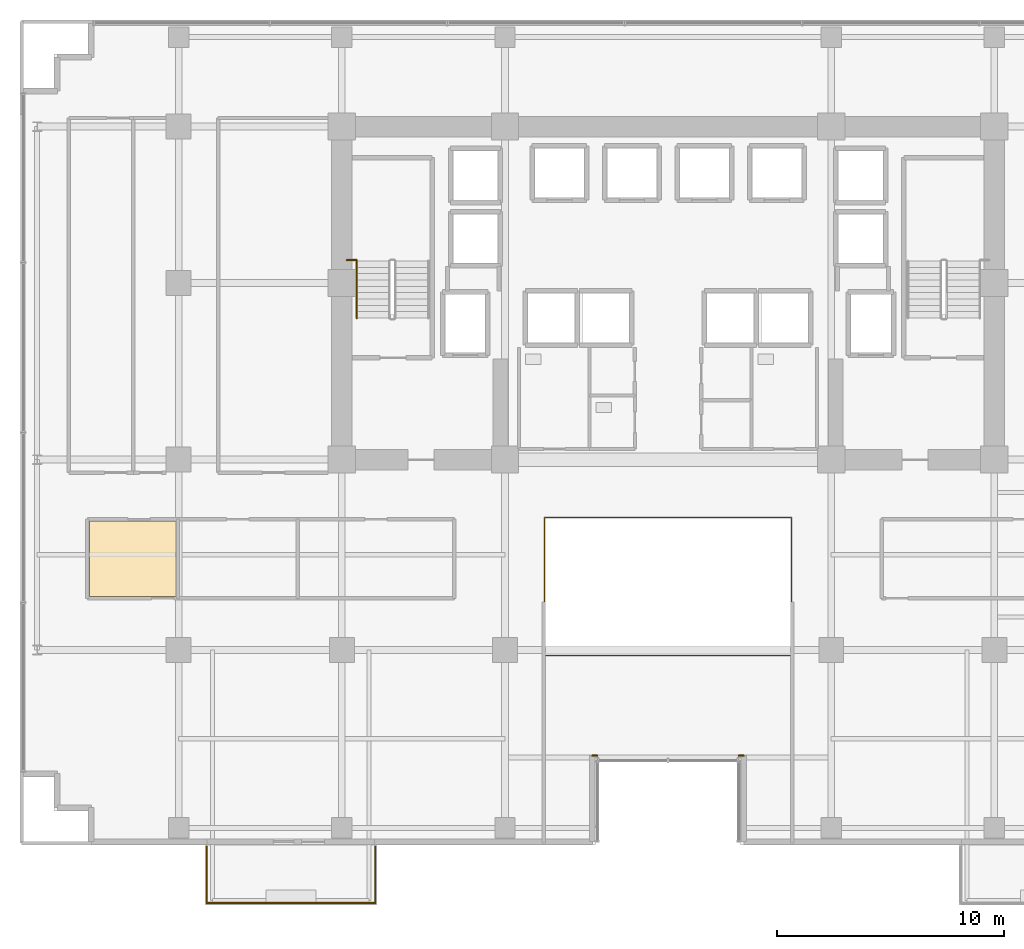
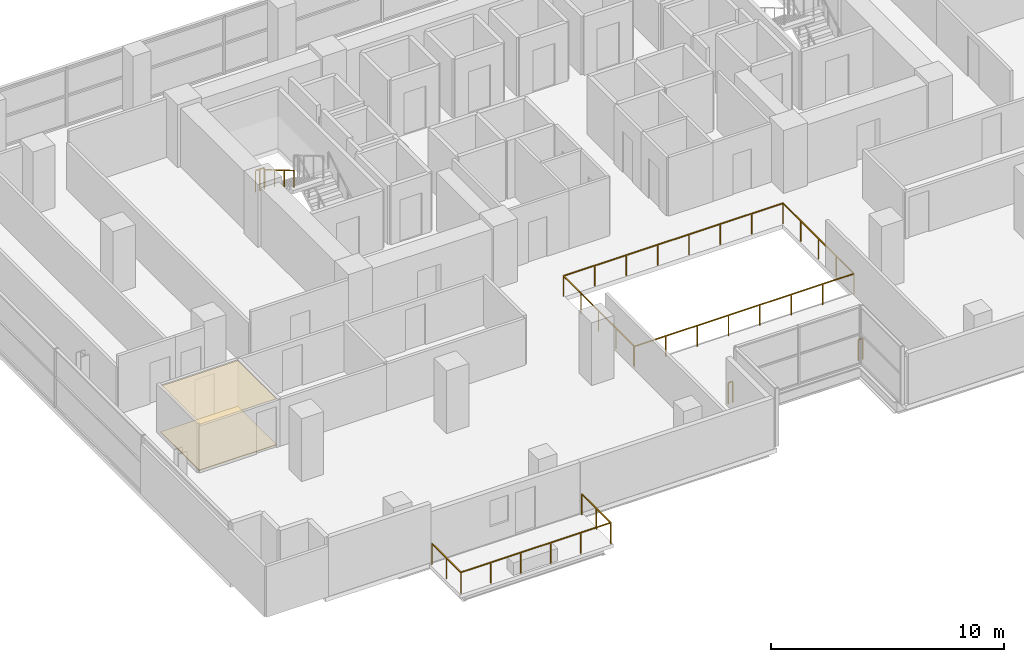
# One storey, part 23 of 26: 6 railings, 2 coverings.
"""IFC4 building model written with IfcOpenShell, lengths in metres."""

from ifc_helpers import new_model, si_unit, direction, frame, origin, origin_2d, place, context, subcontext, project, spatial, polyline, rectangle, outline, extrude, material, layer, layer_set, type_object, element, save


model = new_model("IFC4")

# Units and contexts
model_context = context("Model", 3, precision=1e-05, world=origin(), true_north=direction((0.0, 1.0)))
body_context = subcontext(model_context, "Body", "Model", "MODEL_VIEW")
ifc_project = project(units=[si_unit("LENGTHUNIT", "METRE"), si_unit("AREAUNIT", "SQUARE_METRE"), si_unit("VOLUMEUNIT", "CUBIC_METRE"), si_unit("PLANEANGLEUNIT", "RADIAN"), si_unit("MASSUNIT", "GRAM", prefix="KILO")], contexts=[model_context])

# Site, building, storey
site_placement = place(None, origin())
site = spatial("IfcSite", under=ifc_project, at=site_placement, CompositionType="ELEMENT")
building_placement = place(site_placement, origin())
building = spatial("IfcBuilding", under=site, at=building_placement, Name="Zarnakvel Exchange Tower", CompositionType="ELEMENT")
storey_placement = place(building_placement, frame((0.0, 0.0, 70.300048828125)))
storey = spatial("IfcBuildingStorey", under=building, at=storey_placement, Name="L19", CompositionType="ELEMENT", Elevation=70.300048828125)

# Coverings
ifc_material_1 = material(Name="Perforated Bronze Acoustic Metal Ceiling", Category="aluminium")
ifc_layer_1 = layer(ifc_material_1, 0.02001953125)
ifc_layer_set_1 = layer_set([ifc_layer_1], Name="Perforated Bronze Acoustic Metal Ceiling")
covering_type_1 = type_object("IfcCoveringType", Name="CLG-01", PredefinedType="CEILING", material=ifc_layer_set_1)
covering_1_placement = place(storey_placement, frame((0.0, 0.0, 2.405029296875)))
element("IfcCovering", 1, at=covering_1_placement, inside=storey, type_object=covering_type_1, Name="L19 Suspended Acoustic Ceiling (Asset Management Office)", PredefinedType="CEILING", context=body_context, shape_type="SweptSolid", body=[
    extrude(outline(polyline([(-25.54833984375, -3.909912109375), (-21.710205078125, -3.909912109375), (-21.710205078125, -7.239990234375), (-25.54833984375, -7.239990234375), (-25.54833984375, -3.909912109375)])), origin(), (0.0, 0.0, 1.0), 0.02001953125),
])
ifc_material_2 = material(Name="Heavy-Duty Raised Access Floor Panel", Category="steel")
ifc_layer_2 = layer(ifc_material_2, 0.034912109375)
ifc_layer_set_2 = layer_set([ifc_layer_2], Name="Heavy-Duty Raised Access Floor Panel")
covering_type_2 = type_object("IfcCoveringType", Name="FLR-02", PredefinedType="FLOORING", material=ifc_layer_set_2)
covering_2_placement = place(storey_placement, origin())
element("IfcCovering", 2, at=covering_2_placement, inside=storey, type_object=covering_type_2, Name="L19 Floor Finish (Asset Management Office)", PredefinedType="FLOORING", context=body_context, shape_type="SweptSolid", body=[
    extrude(outline(polyline([(-25.54833984375, -3.909912109375), (-21.710205078125, -3.909912109375), (-21.710205078125, -7.239990234375), (-25.54833984375, -7.239990234375), (-25.54833984375, -3.909912109375)])), origin(), (0.0, 0.0, 1.0), 0.034912109375),
])

# Railings
ifc_material_3 = material(Name="Architectural Bronze Anodised Aluminium", Category="aluminium")
railing_type_1 = type_object("IfcRailingType", Name="GR-02", PredefinedType="GUARDRAIL", material=ifc_material_3)
railing_1_placement = place(storey_placement, frame((-20.3701171875, -18.280029296875, -0.03515625)))
element("IfcRailing", 3, at=railing_1_placement, inside=storey, type_object=railing_type_1, Name="L19 Balcony Guardrail BAL-L19-SW", PredefinedType="GUARDRAIL", context=body_context, shape_type="SweptSolid", body=[
    extrude(rectangle(XDim=0.048095703125, YDim=0.048095703125, at=origin_2d()), frame((0.0, 0.0, 1.09619140625), z_axis=(0.0, -1.0, 0.0), x_axis=(1.0, 0.0, 0.0)), (0.0, 0.0, 1.0), 2.489990234375),
    extrude(rectangle(XDim=0.048095703125, YDim=0.048095703125, at=origin_2d()), frame((0.0, -2.489990234375, 1.09619140625), z_axis=(1.0, 0.0, 0.0), x_axis=(0.0, 1.0, 0.0)), (0.0, 0.0, 1.0), 7.440185546875),
    extrude(rectangle(XDim=0.048095703125, YDim=0.048095703125, at=origin_2d()), frame((7.440185546875, -2.489990234375, 1.09619140625), z_axis=(0.0, 1.0, 0.0), x_axis=(-1.0, 0.0, 0.0)), (0.0, 0.0, 1.0), 2.489990234375),
    extrude(rectangle(XDim=0.0419921875, YDim=0.0419921875, at=origin_2d()), origin(), (0.0, 0.0, 1.0), 1.072021484375),
    extrude(rectangle(XDim=0.0419921875, YDim=0.0419921875, at=origin_2d()), frame((0.0, -1.2451171875, 0.0)), (0.0, 0.0, 1.0), 1.072021484375),
    extrude(rectangle(XDim=0.0419921875, YDim=0.0419921875, at=origin_2d()), frame((0.0, -2.489990234375, 0.0)), (0.0, 0.0, 1.0), 1.072021484375),
    extrude(rectangle(XDim=0.0419921875, YDim=0.0419921875, at=origin_2d()), frame((1.488037109375, -2.489990234375, 0.0)), (0.0, 0.0, 1.0), 1.072021484375),
    extrude(rectangle(XDim=0.0419921875, YDim=0.0419921875, at=origin_2d()), frame((2.97607421875, -2.489990234375, 0.0)), (0.0, 0.0, 1.0), 1.072021484375),
    extrude(rectangle(XDim=0.0419921875, YDim=0.0419921875, at=origin_2d()), frame((4.464111328125, -2.489990234375, 0.0)), (0.0, 0.0, 1.0), 1.072021484375),
    extrude(rectangle(XDim=0.0419921875, YDim=0.0419921875, at=origin_2d()), frame((5.9521484375, -2.489990234375, 0.0)), (0.0, 0.0, 1.0), 1.072021484375),
    extrude(rectangle(XDim=0.0419921875, YDim=0.0419921875, at=origin_2d()), frame((7.440185546875, -2.489990234375, 0.0)), (0.0, 0.0, 1.0), 1.072021484375),
    extrude(rectangle(XDim=0.0419921875, YDim=0.0419921875, at=origin_2d()), frame((7.440185546875, -1.2451171875, 0.0)), (0.0, 0.0, 1.0), 1.072021484375),
    extrude(rectangle(XDim=0.0419921875, YDim=0.0419921875, at=origin_2d()), frame((7.440185546875, 0.0, 0.0)), (0.0, 0.0, 1.0), 1.072021484375),
])
for number, where, name in (
    (4, (3.340087890625, -14.260009765625, 0.0), "L19 Corner Spandrel Balustrade #18"),
    (5, (-3.1201171875, -14.260009765625, 0.0), "L19 Corner Spandrel Balustrade #19"),
):
    element("IfcRailing", number, at=place(storey_placement, frame(where)), inside=storey, type_object=railing_type_1, Name=name, PredefinedType="GUARDRAIL", context=body_context, shape_type="SweptSolid", body=[
        extrude(rectangle(XDim=0.048095703125, YDim=0.048095703125, at=origin_2d()), frame((0.0, 0.0, 1.09619140625), z_axis=(-1.0, 0.0, 0.0), x_axis=(0.0, -1.0, 0.0)), (0.0, 0.0, 1.0), 0.219970703125),
        extrude(rectangle(XDim=0.0419921875, YDim=0.0419921875, at=origin_2d()), origin(), (0.0, 0.0, 1.0), 1.072021484375),
        extrude(rectangle(XDim=0.0419921875, YDim=0.0419921875, at=origin_2d()), frame((-0.219970703125, 0.0, 0.0)), (0.0, 0.0, 1.0), 1.072021484375),
    ])
railing_type_2 = type_object("IfcRailingType", Name="GR-03", PredefinedType="GUARDRAIL", material=ifc_material_3)
railing_2_placement = place(storey_placement, frame((-5.449951171875, -9.85009765625, 0.0)))
element("IfcRailing", 6, at=railing_2_placement, inside=storey, type_object=railing_type_2, Name="L19 Atrium Void Perimeter Balustrade", PredefinedType="GUARDRAIL", context=body_context, shape_type="SweptSolid", body=[
    extrude(rectangle(XDim=0.048095703125, YDim=0.048095703125, at=origin_2d()), frame((0.0, 0.0, 1.076171875), z_axis=(1.0, 0.0, 0.0), x_axis=(0.0, 1.0, 0.0)), (0.0, 0.0, 1.0), 10.89990234375),
    extrude(rectangle(XDim=0.048095703125, YDim=0.048095703125, at=origin_2d()), frame((10.89990234375, 0.0, 1.076171875), z_axis=(0.0, 1.0, 0.0), x_axis=(-1.0, 0.0, 0.0)), (0.0, 0.0, 1.0), 6.10009765625),
    extrude(rectangle(XDim=0.048095703125, YDim=0.048095703125, at=origin_2d()), frame((10.89990234375, 6.10009765625, 1.076171875), z_axis=(-1.0, 0.0, 0.0), x_axis=(0.0, -1.0, 0.0)), (0.0, 0.0, 1.0), 10.89990234375),
    extrude(rectangle(XDim=0.048095703125, YDim=0.048095703125, at=origin_2d()), frame((0.0, 6.10009765625, 1.076171875), z_axis=(0.0, -1.0, 0.0), x_axis=(1.0, 0.0, 0.0)), (0.0, 0.0, 1.0), 6.02001953125),
    extrude(rectangle(XDim=0.0419921875, YDim=0.0419921875, at=origin_2d()), origin(), (0.0, 0.0, 1.0), 1.052001953125),
    extrude(rectangle(XDim=0.0419921875, YDim=0.0419921875, at=origin_2d()), frame((1.55712890625, 0.0, 0.0)), (0.0, 0.0, 1.0), 1.052001953125),
    extrude(rectangle(XDim=0.0419921875, YDim=0.0419921875, at=origin_2d()), frame((3.1142578125, 0.0, 0.0)), (0.0, 0.0, 1.0), 1.052001953125),
    extrude(rectangle(XDim=0.0419921875, YDim=0.0419921875, at=origin_2d()), frame((4.67138671875, 0.0, 0.0)), (0.0, 0.0, 1.0), 1.052001953125),
    extrude(rectangle(XDim=0.0419921875, YDim=0.0419921875, at=origin_2d()), frame((6.228515625, 0.0, 0.0)), (0.0, 0.0, 1.0), 1.052001953125),
    extrude(rectangle(XDim=0.0419921875, YDim=0.0419921875, at=origin_2d()), frame((7.78564453125, 0.0, 0.0)), (0.0, 0.0, 1.0), 1.052001953125),
    extrude(rectangle(XDim=0.0419921875, YDim=0.0419921875, at=origin_2d()), frame((9.3427734375, 0.0, 0.0)), (0.0, 0.0, 1.0), 1.052001953125),
    extrude(rectangle(XDim=0.0419921875, YDim=0.0419921875, at=origin_2d()), frame((10.89990234375, 0.0, 0.0)), (0.0, 0.0, 1.0), 1.052001953125),
    extrude(rectangle(XDim=0.0419921875, YDim=0.0419921875, at=origin_2d()), frame((10.89990234375, 1.52490234375, 0.0)), (0.0, 0.0, 1.0), 1.052001953125),
    extrude(rectangle(XDim=0.0419921875, YDim=0.0419921875, at=origin_2d()), frame((10.89990234375, 3.050048828125, 0.0)), (0.0, 0.0, 1.0), 1.052001953125),
    extrude(rectangle(XDim=0.0419921875, YDim=0.0419921875, at=origin_2d()), frame((10.89990234375, 4.5751953125, 0.0)), (0.0, 0.0, 1.0), 1.052001953125),
    extrude(rectangle(XDim=0.0419921875, YDim=0.0419921875, at=origin_2d()), frame((10.89990234375, 6.10009765625, 0.0)), (0.0, 0.0, 1.0), 1.052001953125),
    extrude(rectangle(XDim=0.0419921875, YDim=0.0419921875, at=origin_2d()), frame((9.3427734375, 6.10009765625, 0.0)), (0.0, 0.0, 1.0), 1.052001953125),
    extrude(rectangle(XDim=0.0419921875, YDim=0.0419921875, at=origin_2d()), frame((7.78564453125, 6.10009765625, 0.0)), (0.0, 0.0, 1.0), 1.052001953125),
    extrude(rectangle(XDim=0.0419921875, YDim=0.0419921875, at=origin_2d()), frame((6.228515625, 6.10009765625, 0.0)), (0.0, 0.0, 1.0), 1.052001953125),
    extrude(rectangle(XDim=0.0419921875, YDim=0.0419921875, at=origin_2d()), frame((4.67138671875, 6.10009765625, 0.0)), (0.0, 0.0, 1.0), 1.052001953125),
    extrude(rectangle(XDim=0.0419921875, YDim=0.0419921875, at=origin_2d()), frame((3.1142578125, 6.10009765625, 0.0)), (0.0, 0.0, 1.0), 1.052001953125),
    extrude(rectangle(XDim=0.0419921875, YDim=0.0419921875, at=origin_2d()), frame((1.55712890625, 6.10009765625, 0.0)), (0.0, 0.0, 1.0), 1.052001953125),
    extrude(rectangle(XDim=0.0419921875, YDim=0.0419921875, at=origin_2d()), frame((0.0, 6.10009765625, 0.0)), (0.0, 0.0, 1.0), 1.052001953125),
    extrude(rectangle(XDim=0.0419921875, YDim=0.0419921875, at=origin_2d()), frame((0.0, 4.59521484375, 0.0)), (0.0, 0.0, 1.0), 1.052001953125),
    extrude(rectangle(XDim=0.0419921875, YDim=0.0419921875, at=origin_2d()), frame((0.0, 3.090087890625, 0.0)), (0.0, 0.0, 1.0), 1.052001953125),
    extrude(rectangle(XDim=0.0419921875, YDim=0.0419921875, at=origin_2d()), frame((0.0, 1.5849609375, 0.0)), (0.0, 0.0, 1.0), 1.052001953125),
    extrude(rectangle(XDim=0.0419921875, YDim=0.0419921875, at=origin_2d()), frame((0.0, 0.080078125, 0.0)), (0.0, 0.0, 1.0), 1.052001953125),
])
ifc_material_4 = material(Name="Brushed Stainless Steel", Category="steel")
railing_type_3 = type_object("IfcRailingType", Name="HR-01", PredefinedType="HANDRAIL", material=ifc_material_4)
railing_3_placement = place(storey_placement, frame((-13.75, 7.570068359375, 1.81494140625)))
element("IfcRailing", 7, at=railing_3_placement, inside=storey, type_object=railing_type_3, Name="L19 ST-01 stair handrail 2", PredefinedType="HANDRAIL", context=body_context, shape_type="SweptSolid", body=[
    extrude(rectangle(XDim=0.048095703125, YDim=0.048095703125, at=origin_2d()), frame((0.0, 0.0, 0.8759765625), z_axis=(0.0, -0.86152411907, 0.507716645641), x_axis=(1.0, 0.0, 0.0)), (0.0, 0.0, 1.0), 2.925048828125),
    extrude(rectangle(XDim=0.0419921875, YDim=0.0419921875, at=origin_2d()), origin(), (0.0, 0.0, 1.0), 0.851806640625),
    extrude(rectangle(XDim=0.0419921875, YDim=0.0419921875, at=origin_2d()), frame((0.0, -0.840087890625, 0.4951171875)), (0.0, 0.0, 1.0), 0.851806640625),
    extrude(rectangle(XDim=0.0419921875, YDim=0.0419921875, at=origin_2d()), frame((0.0, -1.679931640625, 0.989990234375)), (0.0, 0.0, 1.0), 0.851806640625),
    extrude(rectangle(XDim=0.0419921875, YDim=0.0419921875, at=origin_2d()), frame((0.0, -2.52001953125, 1.485107421875)), (0.0, 0.0, 1.0), 0.851806640625),
])
railing_type_4 = type_object("IfcRailingType", Name="SG-01", PredefinedType="GUARDRAIL", material=ifc_material_3)
railing_4_placement = place(storey_placement, frame((-14.179931640625, 7.610107421875, 1.64990234375)))
element("IfcRailing", 8, at=railing_4_placement, inside=storey, type_object=railing_type_4, Name="L19 ST-01 Landing Slot Guardrail", PredefinedType="GUARDRAIL", context=body_context, shape_type="SweptSolid", body=[
    extrude(rectangle(XDim=0.048095703125, YDim=0.048095703125, at=origin_2d()), frame((0.0, 0.0, 1.1259765625), z_axis=(1.0, 0.0, 0.0), x_axis=(0.0, 1.0, 0.0)), (0.0, 0.0, 1.0), 0.429931640625),
    extrude(rectangle(XDim=0.0419921875, YDim=0.0419921875, at=origin_2d()), origin(), (0.0, 0.0, 1.0), 1.101806640625),
    extrude(rectangle(XDim=0.0419921875, YDim=0.0419921875, at=origin_2d()), frame((0.21484375, 0.0, 0.0)), (0.0, 0.0, 1.0), 1.101806640625),
    extrude(rectangle(XDim=0.0419921875, YDim=0.0419921875, at=origin_2d()), frame((0.429931640625, 0.0, 0.0)), (0.0, 0.0, 1.0), 1.101806640625),
])

save(model, "model.ifc")
